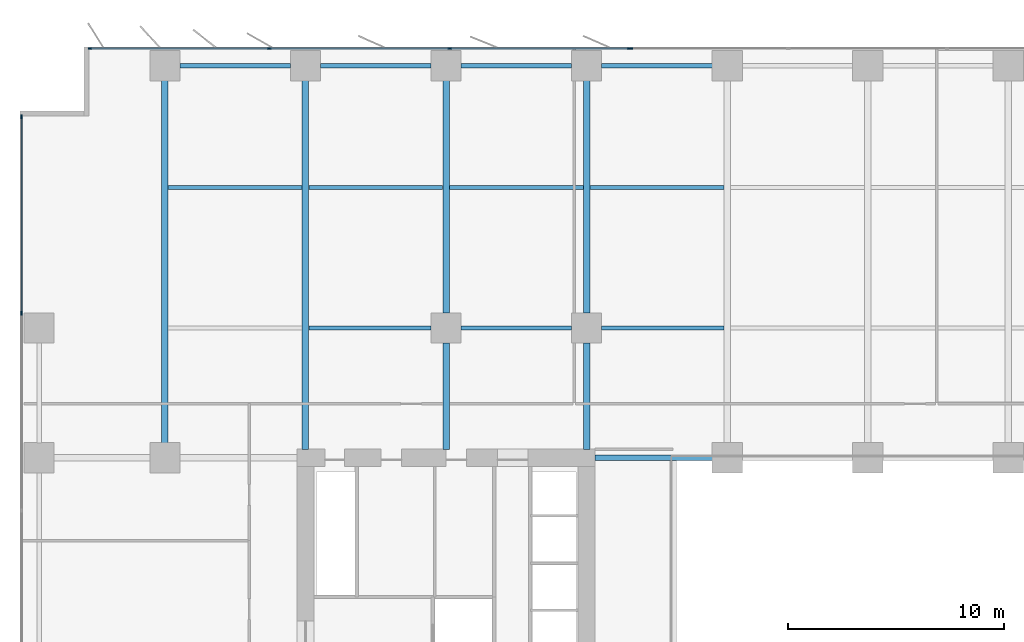
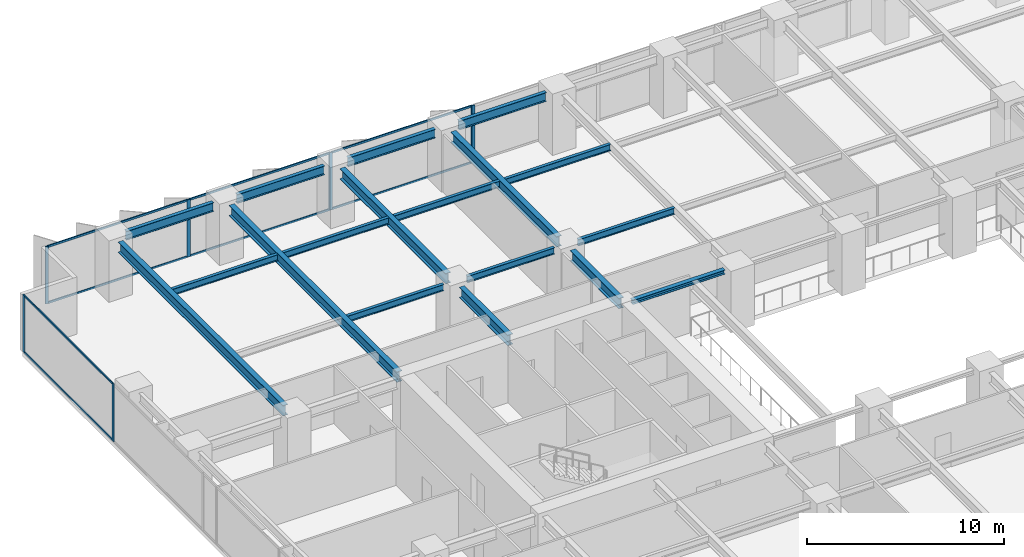
# One storey, part 7 of 20: 18 beams, 15 members, 3 elements without a shape of their own.
"""IFC4 building model written with IfcOpenShell, lengths in metres."""

from ifc_helpers import new_model, si_unit, direction, frame, origin, origin_2d, place, context, subcontext, project, spatial, rectangle, i_section, extrude, material, layer, layer_set, material_profile, profile_set, type_object, element, aggregate, save


model = new_model("IFC4")

# Units and contexts
model_context = context("Model", 3, precision=1e-05, world=origin(), true_north=direction((0.0, 1.0)))
body_context = subcontext(model_context, "Body", "Model", "MODEL_VIEW")
ifc_project = project(units=[si_unit("LENGTHUNIT", "METRE"), si_unit("AREAUNIT", "SQUARE_METRE"), si_unit("VOLUMEUNIT", "CUBIC_METRE"), si_unit("PLANEANGLEUNIT", "RADIAN"), si_unit("MASSUNIT", "GRAM", prefix="KILO")], contexts=[model_context])

# Site, building, storey
site_placement = place(None, origin())
site = spatial("IfcSite", under=ifc_project, at=site_placement, CompositionType="ELEMENT")
building_placement = place(site_placement, origin())
building = spatial("IfcBuilding", under=site, at=building_placement, Name="Putna Gate Headquarters", CompositionType="ELEMENT")
storey_placement = place(building_placement, frame((0.0, 0.0, 50.60009765625)))
storey = spatial("IfcBuildingStorey", under=building, at=storey_placement, Name="L11", CompositionType="ELEMENT", Elevation=50.60009765625)

# Beams
ifc_material_1 = material(Name="Steel S355J2", Category="steel")
ifc_material_profile_1 = material_profile(ifc_material_1, i_section(OverallWidth=0.260009765625, OverallDepth=0.260009765625, WebThickness=0.010009765625, FlangeThickness=0.017578125, at=origin_2d()), Name="Steel S355J2")
ifc_profile_set_1 = profile_set([ifc_material_profile_1], Name="Steel S355J2")
beam_type_1 = type_object("IfcBeamType", Name="BM-ATRIUM-HEB260", PredefinedType="BEAM", material=ifc_profile_set_1)
beam_1_placement = place(storey_placement, frame((26.385009765625, 33.0, 3.419921875), z_axis=(1.0, 0.0, 0.0), x_axis=(0.0, 1.0, 0.0)))
element("IfcBeam", 1, at=beam_1_placement, inside=storey, type_object=beam_type_1, Name="L11 Atrium Edge Beam AN1", PredefinedType="BEAM", context=body_context, shape_type="SweptSolid", body=[
    extrude(i_section(OverallWidth=0.260009765625, OverallDepth=0.260009765625, WebThickness=0.010009765625, FlangeThickness=0.017578125, at=origin_2d()), origin(), (0.0, 0.0, 1.0), 5.427001953125),
])
ifc_material_profile_2 = material_profile(ifc_material_1, i_section(OverallWidth=0.300048828125, OverallDepth=0.64990234375, WebThickness=0.01611328125, FlangeThickness=0.031005859375, at=origin_2d()), Name="Steel S355J2")
ifc_profile_set_2 = profile_set([ifc_material_profile_2], Name="Steel S355J2")
beam_type_2 = type_object("IfcBeamType", Name="BM-GIRD-Z1-HEB650", PredefinedType="USERDEFINED", material=ifc_profile_set_2)
beam_2_placement = place(storey_placement, frame((6.5, 33.68798828125, 3.224853515625), z_axis=(0.0, 1.0, 0.0), x_axis=(-1.0, 0.0, 0.0)))
element("IfcBeam", 2, at=beam_2_placement, inside=storey, type_object=beam_type_2, Name="L11 North Primary Girder X6", ObjectType="GIRDER", PredefinedType="USERDEFINED", context=body_context, shape_type="SweptSolid", body=[
    extrude(i_section(OverallWidth=0.300048828125, OverallDepth=0.64990234375, WebThickness=0.01611328125, FlangeThickness=0.031005859375, at=origin_2d()), origin(), (0.0, 0.0, 1.0), 16.743896484375),
])
beam_3_placement = place(storey_placement, frame((13.0, 33.385009765625, 3.224853515625), z_axis=(0.0, 1.0, 0.0), x_axis=(-1.0, 0.0, 0.0)))
element("IfcBeam", 3, at=beam_3_placement, inside=storey, type_object=beam_type_2, Name="L11 North Primary Girder X13", ObjectType="GIRDER", PredefinedType="USERDEFINED", context=body_context, shape_type="SweptSolid", body=[
    extrude(i_section(OverallWidth=0.300048828125, OverallDepth=0.64990234375, WebThickness=0.01611328125, FlangeThickness=0.031005859375, at=origin_2d()), origin(), (0.0, 0.0, 1.0), 17.046875),
])
beam_4_placement = place(storey_placement, frame((19.5, 33.385009765625, 3.224853515625), z_axis=(0.0, 1.0, 0.0), x_axis=(-1.0, 0.0, 0.0)))
element("IfcBeam", 4, at=beam_4_placement, inside=storey, type_object=beam_type_2, Name="L11 North Primary Girder X19-1", ObjectType="GIRDER", PredefinedType="USERDEFINED", context=body_context, shape_type="SweptSolid", body=[
    extrude(i_section(OverallWidth=0.300048828125, OverallDepth=0.64990234375, WebThickness=0.01611328125, FlangeThickness=0.031005859375, at=origin_2d()), origin(), (0.0, 0.0, 1.0), 4.927001953125),
])
beam_5_placement = place(storey_placement, frame((19.5, 39.68798828125, 3.224853515625), z_axis=(0.0, 1.0, 0.0), x_axis=(-1.0, 0.0, 0.0)))
element("IfcBeam", 5, at=beam_5_placement, inside=storey, type_object=beam_type_2, Name="L11 North Primary Girder X19-2", ObjectType="GIRDER", PredefinedType="USERDEFINED", context=body_context, shape_type="SweptSolid", body=[
    extrude(i_section(OverallWidth=0.300048828125, OverallDepth=0.64990234375, WebThickness=0.01611328125, FlangeThickness=0.031005859375, at=origin_2d()), origin(), (0.0, 0.0, 1.0), 10.743896484375),
])
beam_6_placement = place(storey_placement, frame((26.0, 33.385009765625, 3.224853515625), z_axis=(0.0, 1.0, 0.0), x_axis=(-1.0, 0.0, 0.0)))
element("IfcBeam", 6, at=beam_6_placement, inside=storey, type_object=beam_type_2, Name="L11 North Primary Girder X26-1", ObjectType="GIRDER", PredefinedType="USERDEFINED", context=body_context, shape_type="SweptSolid", body=[
    extrude(i_section(OverallWidth=0.300048828125, OverallDepth=0.64990234375, WebThickness=0.01611328125, FlangeThickness=0.031005859375, at=origin_2d()), origin(), (0.0, 0.0, 1.0), 4.927001953125),
])
beam_7_placement = place(storey_placement, frame((26.0, 39.68798828125, 3.224853515625), z_axis=(0.0, 1.0, 0.0), x_axis=(-1.0, 0.0, 0.0)))
element("IfcBeam", 7, at=beam_7_placement, inside=storey, type_object=beam_type_2, Name="L11 North Primary Girder X26-2", ObjectType="GIRDER", PredefinedType="USERDEFINED", context=body_context, shape_type="SweptSolid", body=[
    extrude(i_section(OverallWidth=0.300048828125, OverallDepth=0.64990234375, WebThickness=0.01611328125, FlangeThickness=0.031005859375, at=origin_2d()), origin(), (0.0, 0.0, 1.0), 10.743896484375),
])
ifc_material_profile_3 = material_profile(ifc_material_1, i_section(OverallWidth=0.179931640625, OverallDepth=0.39990234375, WebThickness=0.008544921875, FlangeThickness=0.013427734375, at=origin_2d()), Name="Steel S355J2")
ifc_profile_set_3 = profile_set([ifc_material_profile_3], Name="Steel S355J2")
beam_type_3 = type_object("IfcBeamType", Name="BM-SEC-Z1-IPE400", PredefinedType="BEAM", material=ifc_profile_set_3)
beam_8_placement = place(storey_placement, frame((6.654052734375, 45.5, 3.349853515625), z_axis=(1.0, 0.0, 0.0), x_axis=(0.0, 1.0, 0.0)))
element("IfcBeam", 8, at=beam_8_placement, inside=storey, type_object=beam_type_3, Name="L11 North Secondary Beam 1", PredefinedType="BEAM", context=body_context, shape_type="SweptSolid", body=[
    extrude(i_section(OverallWidth=0.179931640625, OverallDepth=0.39990234375, WebThickness=0.008544921875, FlangeThickness=0.013427734375, at=origin_2d()), origin(), (0.0, 0.0, 1.0), 6.19189453125),
])
beam_9_placement = place(storey_placement, frame((13.154052734375, 39.0, 3.349853515625), z_axis=(1.0, 0.0, 0.0), x_axis=(0.0, 1.0, 0.0)))
element("IfcBeam", 9, at=beam_9_placement, inside=storey, type_object=beam_type_3, Name="L11 North Secondary Beam 2", PredefinedType="BEAM", context=body_context, shape_type="SweptSolid", body=[
    extrude(i_section(OverallWidth=0.179931640625, OverallDepth=0.39990234375, WebThickness=0.008544921875, FlangeThickness=0.013427734375, at=origin_2d()), origin(), (0.0, 0.0, 1.0), 5.657958984375),
])
beam_10_placement = place(storey_placement, frame((13.154052734375, 45.5, 3.349853515625), z_axis=(1.0, 0.0, 0.0), x_axis=(0.0, 1.0, 0.0)))
element("IfcBeam", 10, at=beam_10_placement, inside=storey, type_object=beam_type_3, Name="L11 North Secondary Beam 2", PredefinedType="BEAM", context=body_context, shape_type="SweptSolid", body=[
    extrude(i_section(OverallWidth=0.179931640625, OverallDepth=0.39990234375, WebThickness=0.008544921875, FlangeThickness=0.013427734375, at=origin_2d()), origin(), (0.0, 0.0, 1.0), 6.19189453125),
])
beam_11_placement = place(storey_placement, frame((20.18798828125, 39.0, 3.349853515625), z_axis=(1.0, 0.0, 0.0), x_axis=(0.0, 1.0, 0.0)))
element("IfcBeam", 11, at=beam_11_placement, inside=storey, type_object=beam_type_3, Name="L11 North Secondary Beam 3", PredefinedType="BEAM", context=body_context, shape_type="SweptSolid", body=[
    extrude(i_section(OverallWidth=0.179931640625, OverallDepth=0.39990234375, WebThickness=0.008544921875, FlangeThickness=0.013427734375, at=origin_2d()), origin(), (0.0, 0.0, 1.0), 5.1240234375),
])
beam_12_placement = place(storey_placement, frame((19.654052734375, 45.5, 3.349853515625), z_axis=(1.0, 0.0, 0.0), x_axis=(0.0, 1.0, 0.0)))
element("IfcBeam", 12, at=beam_12_placement, inside=storey, type_object=beam_type_3, Name="L11 North Secondary Beam 3", PredefinedType="BEAM", context=body_context, shape_type="SweptSolid", body=[
    extrude(i_section(OverallWidth=0.179931640625, OverallDepth=0.39990234375, WebThickness=0.008544921875, FlangeThickness=0.013427734375, at=origin_2d()), origin(), (0.0, 0.0, 1.0), 6.19189453125),
])
beam_13_placement = place(storey_placement, frame((26.68798828125, 39.0, 3.349853515625), z_axis=(1.0, 0.0, 0.0), x_axis=(0.0, 1.0, 0.0)))
element("IfcBeam", 13, at=beam_13_placement, inside=storey, type_object=beam_type_3, Name="L11 North Secondary Beam 4", PredefinedType="BEAM", context=body_context, shape_type="SweptSolid", body=[
    extrude(i_section(OverallWidth=0.179931640625, OverallDepth=0.39990234375, WebThickness=0.008544921875, FlangeThickness=0.013427734375, at=origin_2d()), origin(), (0.0, 0.0, 1.0), 5.657958984375),
])
beam_14_placement = place(storey_placement, frame((26.154052734375, 45.5, 3.349853515625), z_axis=(1.0, 0.0, 0.0), x_axis=(0.0, 1.0, 0.0)))
element("IfcBeam", 14, at=beam_14_placement, inside=storey, type_object=beam_type_3, Name="L11 North Secondary Beam 4", PredefinedType="BEAM", context=body_context, shape_type="SweptSolid", body=[
    extrude(i_section(OverallWidth=0.179931640625, OverallDepth=0.39990234375, WebThickness=0.008544921875, FlangeThickness=0.013427734375, at=origin_2d()), origin(), (0.0, 0.0, 1.0), 6.19189453125),
])
ifc_material_profile_4 = material_profile(ifc_material_1, i_section(OverallWidth=0.2099609375, OverallDepth=0.550048828125, WebThickness=0.010986328125, FlangeThickness=0.01708984375, at=origin_2d()), Name="Steel S355J2")
ifc_profile_set_4 = profile_set([ifc_material_profile_4], Name="Steel S355J2")
beam_type_4 = type_object("IfcBeamType", Name="BM-SPAN-Z1-IPE550", PredefinedType="SPANDREL", material=ifc_profile_set_4)
for number, where, z_axis, x_axis, name in (
    (15, (7.18798828125, 51.1201171875, 3.27490234375), (1.0, 0.0, 0.0), (0.0, 1.0, 0.0), "L11 N Perimeter Spandrel 1"),
    (16, (13.68798828125, 51.1201171875, 3.27490234375), (1.0, 0.0, 0.0), (0.0, 1.0, 0.0), "L11 N Perimeter Spandrel 2"),
    (17, (20.18798828125, 51.1201171875, 3.27490234375), (1.0, 0.0, 0.0), (0.0, 1.0, 0.0), "L11 N Perimeter Spandrel 3"),
    (18, (26.68798828125, 51.1201171875, 3.27490234375), (1.0, 0.0, 0.0), (0.0, 1.0, 0.0), "L11 N Perimeter Spandrel 4"),
):
    element("IfcBeam", number, at=place(storey_placement, frame(where, z_axis=z_axis, x_axis=x_axis)), inside=storey, type_object=beam_type_4, Name=name, PredefinedType="SPANDREL", context=body_context, shape_type="SweptSolid", body=[
        extrude(i_section(OverallWidth=0.2099609375, OverallDepth=0.550048828125, WebThickness=0.010986328125, FlangeThickness=0.01708984375, at=origin_2d()), origin(), (0.0, 0.0, 1.0), 5.1240234375),
    ])

# Curtain wall, members
ifc_material_2 = material(Name="Anodised bronze aluminium curtain wall", Category="aluminium")
ifc_layer_1 = layer(ifc_material_2, 0.179931640625)
ifc_layer_set_1 = layer_set([ifc_layer_1], Name="Anodised bronze aluminium curtain wall")
curtain_wall_type_1 = type_object("IfcCurtainWallType", Name="CW-SYS-Z1", PredefinedType="USERDEFINED", material=ifc_layer_set_1)
curtain_wall_1_placement = place(storey_placement, origin())
curtain_wall_1 = element("IfcCurtainWall", 19, at=curtain_wall_1_placement, inside=storey, type_object=curtain_wall_type_1, Name="L11 North West Curtain Wall", ObjectType="STICK CURTAIN WALL", PredefinedType="USERDEFINED")
ifc_material_3 = material(Name="Anodised bronze aluminium EN AW-6060", Category="aluminium")
ifc_material_profile_5 = material_profile(ifc_material_3, rectangle(XDim=0.070068359375, YDim=0.179931640625, at=origin_2d()), Name="Anodised bronze aluminium EN AW-6060")
ifc_profile_set_5 = profile_set([ifc_material_profile_5], Name="Anodised bronze aluminium EN AW-6060")
member_type_1 = type_object("IfcMemberType", Name="MULL-CWM-1", PredefinedType="MULLION", material=ifc_profile_set_5)
member_1_placement = place(storey_placement, frame((3.034912109375, 51.919921875, 0.0), z_axis=(0.0, 0.0, 1.0), x_axis=(0.0, 1.0, 0.0)))
member_1 = element("IfcMember", 20, at=member_1_placement, type_object=member_type_1, Name="CWS-1 mullion 1", PredefinedType="MULLION", context=body_context, shape_type="SweptSolid", body=[
    extrude(rectangle(XDim=0.070068359375, YDim=0.179931640625, at=origin_2d()), origin(), (0.0, 0.0, 1.0), 3.5498046875),
])
member_2_placement = place(storey_placement, frame((11.333251953125, 51.919921875, 0.0), z_axis=(0.0, 0.0, 1.0), x_axis=(0.0, 1.0, 0.0)))
member_2 = element("IfcMember", 21, at=member_2_placement, type_object=member_type_1, Name="CWS-1 mullion 2", PredefinedType="MULLION", context=body_context, shape_type="SweptSolid", body=[
    extrude(rectangle(XDim=0.070068359375, YDim=0.179931640625, at=origin_2d()), origin(), (0.0, 0.0, 1.0), 3.5498046875),
])
member_3_placement = place(storey_placement, frame((19.666748046875, 51.919921875, 0.0), z_axis=(0.0, 0.0, 1.0), x_axis=(0.0, 1.0, 0.0)))
member_3 = element("IfcMember", 22, at=member_3_placement, type_object=member_type_1, Name="CWS-1 mullion 3", PredefinedType="MULLION", context=body_context, shape_type="SweptSolid", body=[
    extrude(rectangle(XDim=0.070068359375, YDim=0.179931640625, at=origin_2d()), origin(), (0.0, 0.0, 1.0), 3.5498046875),
])
member_4_placement = place(storey_placement, frame((27.965087890625, 51.919921875, 0.0), z_axis=(0.0, 0.0, 1.0), x_axis=(0.0, 1.0, 0.0)))
member_4 = element("IfcMember", 23, at=member_4_placement, type_object=member_type_1, Name="CWS-1 mullion 4", PredefinedType="MULLION", context=body_context, shape_type="SweptSolid", body=[
    extrude(rectangle(XDim=0.070068359375, YDim=0.179931640625, at=origin_2d()), origin(), (0.0, 0.0, 1.0), 3.5498046875),
])

curtain_wall_2_placement = place(storey_placement, origin())
curtain_wall_2 = element("IfcCurtainWall", 24, at=curtain_wall_2_placement, inside=storey, type_object=curtain_wall_type_1, Name="L11 West Curtain Wall", ObjectType="STICK CURTAIN WALL", PredefinedType="USERDEFINED")
member_5_placement = place(storey_placement, frame((-0.1201171875, 39.679931640625, 0.0), z_axis=(0.0, 0.0, 1.0), x_axis=(-1.0, 0.0, 0.0)))
member_5 = element("IfcMember", 25, at=member_5_placement, type_object=member_type_1, Name="CWS-1 mullion 5", PredefinedType="MULLION", context=body_context, shape_type="SweptSolid", body=[
    extrude(rectangle(XDim=0.070068359375, YDim=0.179931640625, at=origin_2d()), origin(), (0.0, 0.0, 1.0), 3.5498046875),
])
member_6_placement = place(storey_placement, frame((-0.1201171875, 48.764892578125, 0.0), z_axis=(0.0, 0.0, 1.0), x_axis=(-1.0, 0.0, 0.0)))
member_6 = element("IfcMember", 26, at=member_6_placement, type_object=member_type_1, Name="CWS-1 mullion 6", PredefinedType="MULLION", context=body_context, shape_type="SweptSolid", body=[
    extrude(rectangle(XDim=0.070068359375, YDim=0.179931640625, at=origin_2d()), origin(), (0.0, 0.0, 1.0), 3.5498046875),
])

# Curtain wall, member
ifc_layer_2 = layer(ifc_material_2, 0.179931640625)
ifc_layer_set_2 = layer_set([ifc_layer_2], Name="Anodised bronze aluminium curtain wall")
curtain_wall_type_2 = type_object("IfcCurtainWallType", Name="CW-SYS-ATR", PredefinedType="USERDEFINED", material=ifc_layer_set_2)
curtain_wall_3_placement = place(storey_placement, origin())
curtain_wall_3 = element("IfcCurtainWall", 27, at=curtain_wall_3_placement, inside=storey, type_object=curtain_wall_type_2, Name="L11 North Atrium Clear Glazing", ObjectType="ATRIUM GLAZING", PredefinedType="USERDEFINED")
ifc_material_profile_6 = material_profile(ifc_material_3, rectangle(XDim=0.070068359375, YDim=0.179931640625, at=origin_2d()), Name="Anodised bronze aluminium EN AW-6060")
ifc_profile_set_6 = profile_set([ifc_material_profile_6], Name="Anodised bronze aluminium EN AW-6060")
member_type_2 = type_object("IfcMemberType", Name="MULL-CWM-AT", PredefinedType="MULLION", material=ifc_profile_set_6)
member_7_placement = place(storey_placement, frame((28.034912109375, 51.919921875, 0.0), z_axis=(0.0, 0.0, 1.0), x_axis=(0.0, 1.0, 0.0)))
member_7 = element("IfcMember", 28, at=member_7_placement, type_object=member_type_2, Name="CWS-AT mullion 1", PredefinedType="MULLION", context=body_context, shape_type="SweptSolid", body=[
    extrude(rectangle(XDim=0.070068359375, YDim=0.179931640625, at=origin_2d()), origin(), (0.0, 0.0, 1.0), 3.5498046875),
])
aggregate(curtain_wall_3, [member_7])

# Member
ifc_material_profile_7 = material_profile(ifc_material_3, rectangle(XDim=0.06494140625, YDim=0.1201171875, at=origin_2d()), Name="Anodised bronze aluminium EN AW-6060")
ifc_profile_set_7 = profile_set([ifc_material_profile_7], Name="Anodised bronze aluminium EN AW-6060")
member_type_3 = type_object("IfcMemberType", Name="TRAN-CWT-1", PredefinedType="USERDEFINED", material=ifc_profile_set_7)
member_8_placement = place(storey_placement, frame((3.070068359375, 51.919921875, 0.032470703125), z_axis=(1.0, 0.0, 0.0), x_axis=(0.0, 1.0, 0.0)))
member_8 = element("IfcMember", 29, at=member_8_placement, type_object=member_type_3, Name="CWS-1 transom 1.1", ObjectType="TRANSOM", PredefinedType="USERDEFINED", context=body_context, shape_type="SweptSolid", body=[
    extrude(rectangle(XDim=0.06494140625, YDim=0.1201171875, at=origin_2d()), origin(), (0.0, 0.0, 1.0), 8.228271484375),
])

member_9_placement = place(storey_placement, frame((3.070068359375, 51.919921875, 3.517333984375), z_axis=(1.0, 0.0, 0.0), x_axis=(0.0, 1.0, 0.0)))
member_9 = element("IfcMember", 30, at=member_9_placement, type_object=member_type_3, Name="CWS-1 transom 1.2", ObjectType="TRANSOM", PredefinedType="USERDEFINED", context=body_context, shape_type="SweptSolid", body=[
    extrude(rectangle(XDim=0.06494140625, YDim=0.1201171875, at=origin_2d()), origin(), (0.0, 0.0, 1.0), 8.228271484375),
])

member_10_placement = place(storey_placement, frame((11.368408203125, 51.919921875, 0.032470703125), z_axis=(1.0, 0.0, 0.0), x_axis=(0.0, 1.0, 0.0)))
member_10 = element("IfcMember", 31, at=member_10_placement, type_object=member_type_3, Name="CWS-1 transom 2.1", ObjectType="TRANSOM", PredefinedType="USERDEFINED", context=body_context, shape_type="SweptSolid", body=[
    extrude(rectangle(XDim=0.06494140625, YDim=0.1201171875, at=origin_2d()), origin(), (0.0, 0.0, 1.0), 8.26318359375),
])

member_11_placement = place(storey_placement, frame((11.368408203125, 51.919921875, 3.517333984375), z_axis=(1.0, 0.0, 0.0), x_axis=(0.0, 1.0, 0.0)))
member_11 = element("IfcMember", 32, at=member_11_placement, type_object=member_type_3, Name="CWS-1 transom 2.2", ObjectType="TRANSOM", PredefinedType="USERDEFINED", context=body_context, shape_type="SweptSolid", body=[
    extrude(rectangle(XDim=0.06494140625, YDim=0.1201171875, at=origin_2d()), origin(), (0.0, 0.0, 1.0), 8.26318359375),
])

member_12_placement = place(storey_placement, frame((19.70166015625, 51.919921875, 0.032470703125), z_axis=(1.0, 0.0, 0.0), x_axis=(0.0, 1.0, 0.0)))
member_12 = element("IfcMember", 33, at=member_12_placement, type_object=member_type_3, Name="CWS-1 transom 3.1", ObjectType="TRANSOM", PredefinedType="USERDEFINED", context=body_context, shape_type="SweptSolid", body=[
    extrude(rectangle(XDim=0.06494140625, YDim=0.1201171875, at=origin_2d()), origin(), (0.0, 0.0, 1.0), 8.228271484375),
])

member_13_placement = place(storey_placement, frame((19.70166015625, 51.919921875, 3.517333984375), z_axis=(1.0, 0.0, 0.0), x_axis=(0.0, 1.0, 0.0)))
member_13 = element("IfcMember", 34, at=member_13_placement, type_object=member_type_3, Name="CWS-1 transom 3.2", ObjectType="TRANSOM", PredefinedType="USERDEFINED", context=body_context, shape_type="SweptSolid", body=[
    extrude(rectangle(XDim=0.06494140625, YDim=0.1201171875, at=origin_2d()), origin(), (0.0, 0.0, 1.0), 8.228271484375),
])

aggregate(curtain_wall_1, [member_1, member_2, member_3, member_4, member_8, member_9, member_10, member_11, member_12, member_13])

member_14_placement = place(storey_placement, frame((-0.1201171875, 39.715087890625, 0.032470703125), z_axis=(0.0, 1.0, 0.0), x_axis=(-1.0, 0.0, 0.0)))
member_14 = element("IfcMember", 35, at=member_14_placement, type_object=member_type_3, Name="CWS-1 transom 5.1", ObjectType="TRANSOM", PredefinedType="USERDEFINED", context=body_context, shape_type="SweptSolid", body=[
    extrude(rectangle(XDim=0.06494140625, YDim=0.1201171875, at=origin_2d()), origin(), (0.0, 0.0, 1.0), 9.014892578125),
])

member_15_placement = place(storey_placement, frame((-0.1201171875, 39.715087890625, 3.517333984375), z_axis=(0.0, 1.0, 0.0), x_axis=(-1.0, 0.0, 0.0)))
member_15 = element("IfcMember", 36, at=member_15_placement, type_object=member_type_3, Name="CWS-1 transom 5.2", ObjectType="TRANSOM", PredefinedType="USERDEFINED", context=body_context, shape_type="SweptSolid", body=[
    extrude(rectangle(XDim=0.06494140625, YDim=0.1201171875, at=origin_2d()), origin(), (0.0, 0.0, 1.0), 9.014892578125),
])

aggregate(curtain_wall_2, [member_5, member_6, member_14, member_15])

save(model, "model.ifc")
